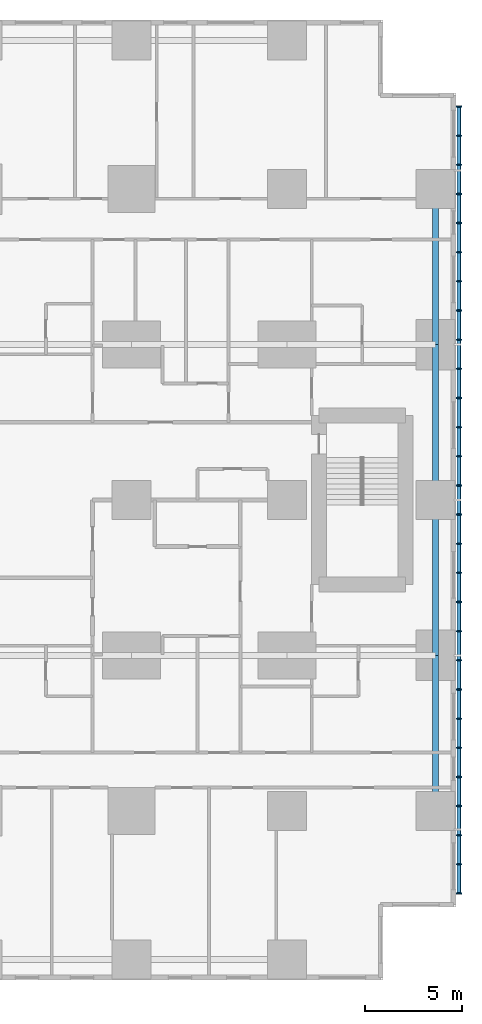
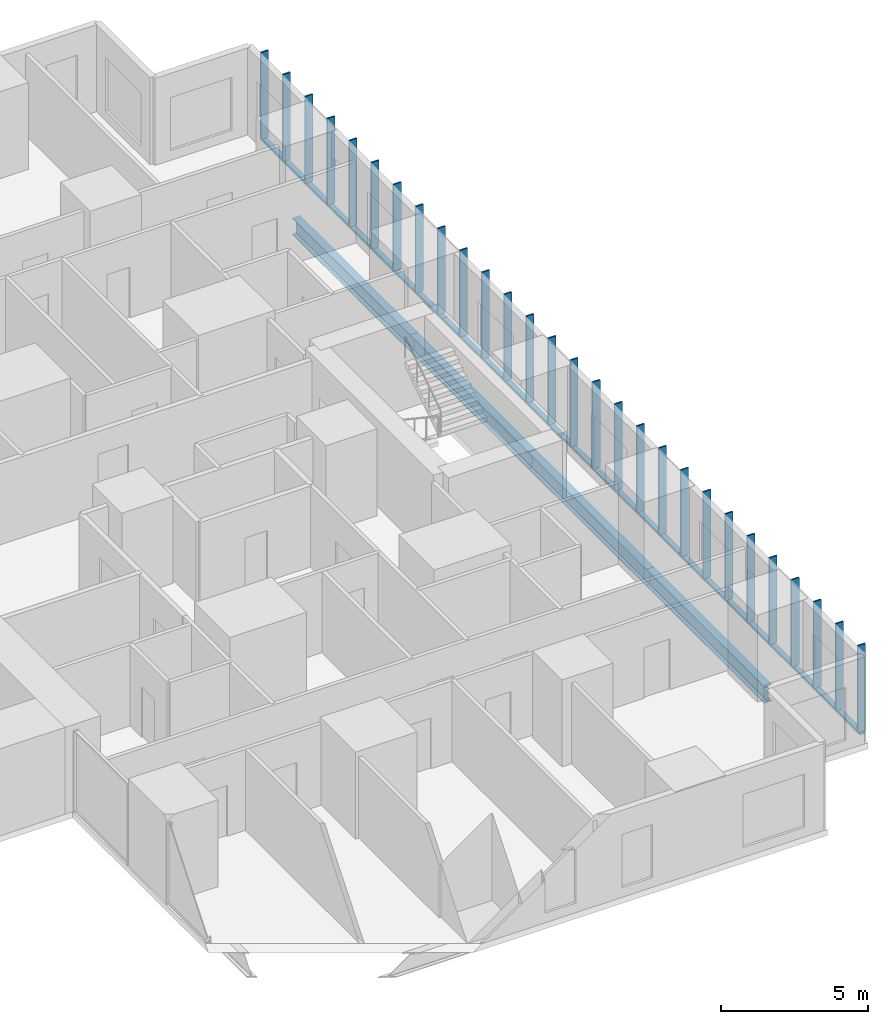
# One storey, part 6 of 20: 32 members, 4 beams.
"""IFC4 building model written with IfcOpenShell, lengths in metres."""

from ifc_helpers import new_model, si_unit, direction, frame, origin, origin_2d, place, context, subcontext, project, spatial, rectangle, hollow_rectangle, i_section, extrude, material, material_profile, profile_set, type_object, element, save


model = new_model("IFC4")

# Units and contexts
model_context = context("Model", 3, precision=1e-05, world=origin(), true_north=direction((0.0, 1.0)))
body_context = subcontext(model_context, "Body", "Model", "MODEL_VIEW")
ifc_project = project(units=[si_unit("LENGTHUNIT", "METRE"), si_unit("AREAUNIT", "SQUARE_METRE"), si_unit("VOLUMEUNIT", "CUBIC_METRE"), si_unit("PLANEANGLEUNIT", "RADIAN"), si_unit("MASSUNIT", "GRAM", prefix="KILO")], contexts=[model_context])

# Site, building, storey
site_placement = place(None, origin())
site = spatial("IfcSite", under=ifc_project, at=site_placement, CompositionType="ELEMENT")
building_placement = place(site_placement, origin())
building = spatial("IfcBuilding", under=site, at=building_placement, Name="Cleftline Residences", CompositionType="ELEMENT")
storey_placement = place(building_placement, frame((0.0, 0.0, 117.800048828125)))
storey = spatial("IfcBuildingStorey", under=building, at=storey_placement, Name="L30", CompositionType="ELEMENT", Elevation=117.800048828125)

# Members
ifc_material_1 = material(Name="Steel S355, hot-dip galvanised", Category="steel")
ifc_material_profile_1 = material_profile(ifc_material_1, hollow_rectangle(XDim=0.10009765625, YDim=0.199951171875, WallThickness=0.008056640625, InnerFilletRadius=0.008056640625, OuterFilletRadius=0.011962890625, at=origin_2d()))
ifc_profile_set_1 = profile_set([ifc_material_profile_1], Name="Steel S355, hot-dip galvanised")
member_type_1 = type_object("IfcMemberType", Name="BAGUETTE CARRIER RHS 200X100X8", PredefinedType="USERDEFINED", material=ifc_profile_set_1)
member_1_placement = place(storey_placement, frame((66.85009765625, 3.699951171875, -0.050048828125), z_axis=(0.0, 1.0, 0.0), x_axis=(0.0, 0.0, 1.0)))
element("IfcMember", 1, at=member_1_placement, inside=storey, type_object=member_type_1, Name="Baguette carrier", ObjectType="BAGUETTE CARRIER", PredefinedType="USERDEFINED", context=body_context, shape_type="SweptSolid", body=[
    extrude(hollow_rectangle(XDim=0.10009765625, YDim=0.199951171875, WallThickness=0.008056640625, InnerFilletRadius=0.008056640625, OuterFilletRadius=0.011962890625, at=origin_2d()), origin(), (0.0, 0.0, 1.0), 12.300048828125),
])
for number, where, z_axis, x_axis, name in (
    (2, (66.85009765625, 16.0, -0.050048828125), (0.0, 1.0, 0.0), (0.0, 0.0, 1.0), "Baguette carrier"),
    (3, (66.85009765625, 24.0, -0.050048828125), (0.0, 1.0, 0.0), (0.0, 0.0, 1.0), "Baguette carrier"),
):
    element("IfcMember", number, at=place(storey_placement, frame(where, z_axis=z_axis, x_axis=x_axis)), inside=storey, type_object=member_type_1, Name=name, ObjectType="BAGUETTE CARRIER", PredefinedType="USERDEFINED", context=body_context, shape_type="SweptSolid", body=[
        extrude(hollow_rectangle(XDim=0.10009765625, YDim=0.199951171875, WallThickness=0.008056640625, InnerFilletRadius=0.008056640625, OuterFilletRadius=0.011962890625, at=origin_2d()), origin(), (0.0, 0.0, 1.0), 8.0),
    ])
member_2_placement = place(storey_placement, frame((66.85009765625, 32.0, -0.050048828125), z_axis=(0.0, 1.0, 0.0), x_axis=(0.0, 0.0, 1.0)))
element("IfcMember", 4, at=member_2_placement, inside=storey, type_object=member_type_1, Name="Baguette carrier", ObjectType="BAGUETTE CARRIER", PredefinedType="USERDEFINED", context=body_context, shape_type="SweptSolid", body=[
    extrude(hollow_rectangle(XDim=0.10009765625, YDim=0.199951171875, WallThickness=0.008056640625, InnerFilletRadius=0.008056640625, OuterFilletRadius=0.011962890625, at=origin_2d()), origin(), (0.0, 0.0, 1.0), 12.300048828125),
])

# Beams
ifc_material_2 = material(Name="Steel S355", Category="steel")
ifc_material_profile_2 = material_profile(ifc_material_2, i_section(OverallWidth=0.300048828125, OverallDepth=0.699951171875, WebThickness=0.01708984375, FlangeThickness=0.031982421875, FilletRadius=0.027099609375, at=origin_2d()))
ifc_profile_set_2 = profile_set([ifc_material_profile_2], Name="Steel S355")
beam_type = type_object("IfcBeamType", Name="BEAM HEB 700", PredefinedType="BEAM", material=ifc_profile_set_2)
for number, where, z_axis, x_axis, name in (
    (5, (65.64990234375, 8.0, -0.60009765625), (0.0, 1.0, 0.0), (-1.0, 0.0, 0.0), "Edge beam"),
    (6, (65.64990234375, 16.0, -0.60009765625), (0.0, 1.0, 0.0), (-1.0, 0.0, 0.0), "Edge beam"),
    (7, (65.64990234375, 24.0, -0.60009765625), (0.0, 1.0, 0.0), (-1.0, 0.0, 0.0), "Edge beam"),
    (8, (65.64990234375, 32.0, -0.60009765625), (0.0, 1.0, 0.0), (-1.0, 0.0, 0.0), "Edge beam"),
):
    element("IfcBeam", number, at=place(storey_placement, frame(where, z_axis=z_axis, x_axis=x_axis)), inside=storey, type_object=beam_type, Name=name, PredefinedType="BEAM", context=body_context, shape_type="SweptSolid", body=[
        extrude(i_section(OverallWidth=0.300048828125, OverallDepth=0.699951171875, WebThickness=0.01708984375, FlangeThickness=0.031982421875, FilletRadius=0.027099609375, at=origin_2d()), origin(), (0.0, 0.0, 1.0), 8.0),
    ])

# Members
ifc_material_3 = material(Name="Extruded terracotta", Category="masonry")
ifc_material_profile_3 = material_profile(ifc_material_3, rectangle(XDim=0.06005859375, YDim=0.300048828125, at=origin_2d()))
ifc_profile_set_3 = profile_set([ifc_material_profile_3], Name="Extruded terracotta")
member_type_2 = type_object("IfcMemberType", Name="TERRACOTTA BAGUETTE 60X300", PredefinedType="USERDEFINED", material=ifc_profile_set_3)
for number, where, z_axis, x_axis, name in (
    (9, (66.85009765625, 3.75, 0.0), (0.0, 0.0, 1.0), (0.0, 1.0, 0.0), "Terracotta baguette"),
    (10, (66.85009765625, 5.25, 0.0), (0.0, 0.0, 1.0), (0.0, 1.0, 0.0), "Terracotta baguette"),
    (11, (66.85009765625, 6.75, 0.0), (0.0, 0.0, 1.0), (0.0, 1.0, 0.0), "Terracotta baguette"),
    (12, (66.85009765625, 8.25, 0.0), (0.0, 0.0, 1.0), (0.0, 1.0, 0.0), "Terracotta baguette"),
    (13, (66.85009765625, 9.75, 0.0), (0.0, 0.0, 1.0), (0.0, 1.0, 0.0), "Terracotta baguette"),
    (14, (66.85009765625, 11.25, 0.0), (0.0, 0.0, 1.0), (0.0, 1.0, 0.0), "Terracotta baguette"),
    (15, (66.85009765625, 12.75, 0.0), (0.0, 0.0, 1.0), (0.0, 1.0, 0.0), "Terracotta baguette"),
    (16, (66.85009765625, 14.25, 0.0), (0.0, 0.0, 1.0), (0.0, 1.0, 0.0), "Terracotta baguette"),
    (17, (66.85009765625, 15.75, 0.0), (0.0, 0.0, 1.0), (0.0, 1.0, 0.0), "Terracotta baguette"),
    (18, (66.85009765625, 17.25, 0.0), (0.0, 0.0, 1.0), (0.0, 1.0, 0.0), "Terracotta baguette"),
    (19, (66.85009765625, 18.75, 0.0), (0.0, 0.0, 1.0), (0.0, 1.0, 0.0), "Terracotta baguette"),
    (20, (66.85009765625, 20.25, 0.0), (0.0, 0.0, 1.0), (0.0, 1.0, 0.0), "Terracotta baguette"),
    (21, (66.85009765625, 21.75, 0.0), (0.0, 0.0, 1.0), (0.0, 1.0, 0.0), "Terracotta baguette"),
    (22, (66.85009765625, 23.25, 0.0), (0.0, 0.0, 1.0), (0.0, 1.0, 0.0), "Terracotta baguette"),
    (23, (66.85009765625, 24.75, 0.0), (0.0, 0.0, 1.0), (0.0, 1.0, 0.0), "Terracotta baguette"),
    (24, (66.85009765625, 26.25, 0.0), (0.0, 0.0, 1.0), (0.0, 1.0, 0.0), "Terracotta baguette"),
    (25, (66.85009765625, 27.75, 0.0), (0.0, 0.0, 1.0), (0.0, 1.0, 0.0), "Terracotta baguette"),
    (26, (66.85009765625, 29.25, 0.0), (0.0, 0.0, 1.0), (0.0, 1.0, 0.0), "Terracotta baguette"),
    (27, (66.85009765625, 30.75, 0.0), (0.0, 0.0, 1.0), (0.0, 1.0, 0.0), "Terracotta baguette"),
    (28, (66.85009765625, 32.25, 0.0), (0.0, 0.0, 1.0), (0.0, 1.0, 0.0), "Terracotta baguette"),
    (29, (66.85009765625, 33.75, 0.0), (0.0, 0.0, 1.0), (0.0, 1.0, 0.0), "Terracotta baguette"),
    (30, (66.85009765625, 35.25, 0.0), (0.0, 0.0, 1.0), (0.0, 1.0, 0.0), "Terracotta baguette"),
    (31, (66.85009765625, 36.75, 0.0), (0.0, 0.0, 1.0), (0.0, 1.0, 0.0), "Terracotta baguette"),
    (32, (66.85009765625, 38.25, 0.0), (0.0, 0.0, 1.0), (0.0, 1.0, 0.0), "Terracotta baguette"),
    (33, (66.85009765625, 39.75, 0.0), (0.0, 0.0, 1.0), (0.0, 1.0, 0.0), "Terracotta baguette"),
    (34, (66.85009765625, 41.25, 0.0), (0.0, 0.0, 1.0), (0.0, 1.0, 0.0), "Terracotta baguette"),
    (35, (66.85009765625, 42.75, 0.0), (0.0, 0.0, 1.0), (0.0, 1.0, 0.0), "Terracotta baguette"),
    (36, (66.85009765625, 44.25, 0.0), (0.0, 0.0, 1.0), (0.0, 1.0, 0.0), "Terracotta baguette"),
):
    element("IfcMember", number, at=place(storey_placement, frame(where, z_axis=z_axis, x_axis=x_axis)), inside=storey, type_object=member_type_2, Name=name, ObjectType="BAGUETTE", PredefinedType="USERDEFINED", context=body_context, shape_type="SweptSolid", body=[
        extrude(rectangle(XDim=0.06005859375, YDim=0.300048828125, at=origin_2d()), origin(), (0.0, 0.0, 1.0), 3.599853515625),
    ])

save(model, "model.ifc")
